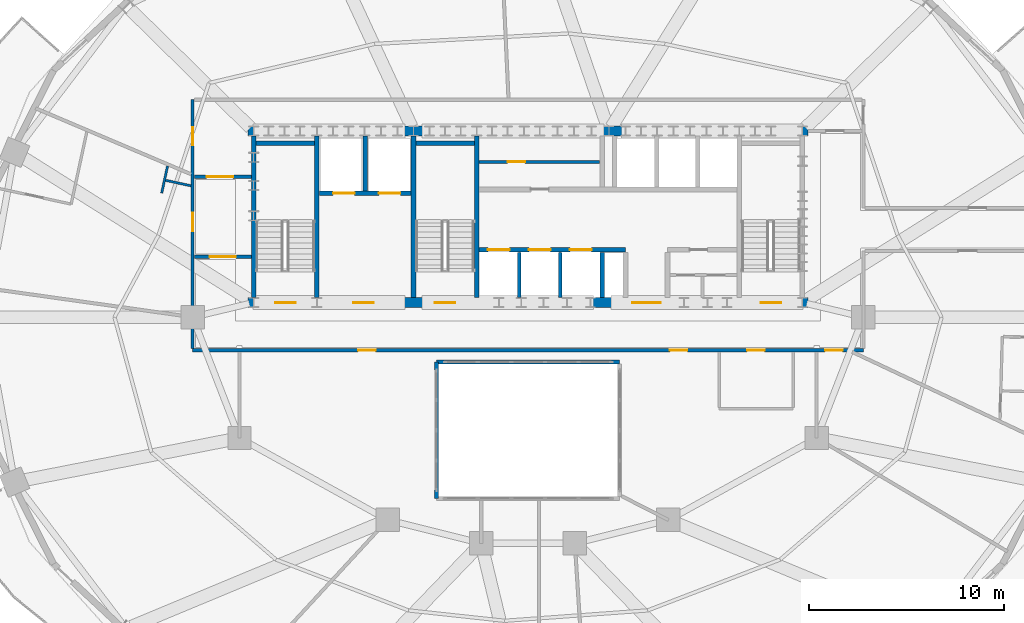
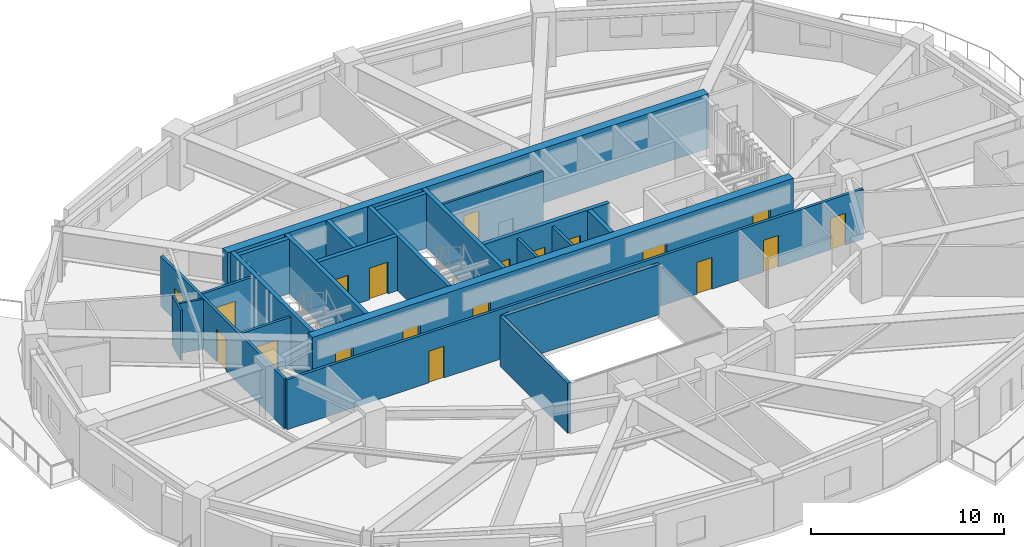
# One storey, part 7 of 13: 23 walls, 19 doors, 19 openings.
"""IFC4 building model written with IfcOpenShell, lengths in metres."""

import ifcopenshell
import ifcopenshell.guid

model = None  # the IFC model being written
_history = None  # IfcOwnerHistory: only IFC2X3 demands one
_inside = {}  # id of a spatial element -> (the spatial element, [elements in it])
_under = {}  # id of a project, library or spatial element -> (it, [spatial elements below it])
_declared = {}  # id of a project -> (the project, [libraries it declares])
_typed = {}  # id of a type object -> (the type object, [elements of that type])
_made_of = {}  # id of a material, layer set ... -> (it, [elements and type objects made of it])


def new_model(schema):
    """Start an empty IFC model of exactly this schema.

    Asked for "IFC4X3", IfcOpenShell would pick the latest addendum, in which some entities
    have other attributes; the version numbers below select the first issue.
    IFC2X3 requires an IfcOwnerHistory on every rooted entity: one is made here for all.
    """
    global model, _history
    if schema == "IFC4X3":
        model = ifcopenshell.file(schema_version=(4, 3, 0, 0))
    else:
        model = ifcopenshell.file(schema=schema)
    _inside.clear()
    _under.clear()
    _declared.clear()
    _typed.clear()
    _made_of.clear()
    _history = None
    if model.schema == "IFC2X3":
        org = make("IfcOrganization", Name="unknown")
        user = make(
            "IfcPersonAndOrganization",
            ThePerson=make("IfcPerson", FamilyName="unknown"),
            TheOrganization=org,
        )
        app = make(
            "IfcApplication",
            ApplicationDeveloper=org,
            Version="unknown",
            ApplicationFullName="unknown",
            ApplicationIdentifier="unknown",
        )
        _history = make(
            "IfcOwnerHistory",
            OwningUser=user,
            OwningApplication=app,
            ChangeAction="ADDED",
            CreationDate=0,
        )
    return model


def make(cls, **values):
    """One entity of the class cls with the attributes given. An attribute that is None is left unset."""
    return model.create_entity(
        cls, **{name: value for name, value in values.items() if value is not None}
    )


def rooted(cls, **values):
    """An entity with a GlobalId (a new one), such as an element, a storey or a relation."""
    return make(cls, GlobalId=ifcopenshell.guid.new(), OwnerHistory=_history, **values)


def si_unit(unit_type, name, prefix=None):
    """IfcSIUnit, for example si_unit("LENGTHUNIT", "METRE", prefix="MILLI")."""
    return make("IfcSIUnit", UnitType=unit_type, Prefix=prefix, Name=name)


def assignment(units):
    """IfcUnitAssignment: the units of a project."""
    return None if units is None else make("IfcUnitAssignment", Units=units)


def point(xyz):
    """IfcCartesianPoint."""
    return None if xyz is None else make("IfcCartesianPoint", Coordinates=xyz)


def direction(xyz):
    """IfcDirection."""
    return None if xyz is None else make("IfcDirection", DirectionRatios=xyz)


def frame(location, z_axis=None, x_axis=None):
    """IfcAxis2Placement3D, a coordinate frame: its origin and axes. An axis left out is left unset."""
    return make(
        "IfcAxis2Placement3D",
        Location=point(location),
        Axis=direction(z_axis),
        RefDirection=direction(x_axis),
    )


def frame_2d(location, x_axis=None):
    """IfcAxis2Placement2D, a coordinate frame in the plane: its origin and x axis."""
    return make(
        "IfcAxis2Placement2D", Location=point(location), RefDirection=direction(x_axis)
    )


def origin():
    """The frame at (0, 0, 0) with its axes left unset."""
    return frame((0.0, 0.0, 0.0))


def place(relative_to, where):
    """IfcLocalPlacement: puts the frame where relative to a parent placement (None: the world)."""
    return make(
        "IfcLocalPlacement", PlacementRelTo=relative_to, RelativePlacement=where
    )


def context(
    kind, dimensions, precision=None, world=None, true_north=None, identifier=None
):
    """IfcGeometricRepresentationContext, for example the 3D "Model" context."""
    return make(
        "IfcGeometricRepresentationContext",
        ContextIdentifier=identifier,
        ContextType=kind,
        CoordinateSpaceDimension=dimensions,
        Precision=precision,
        WorldCoordinateSystem=world,
        TrueNorth=true_north,
    )


def subcontext(parent, identifier, kind, view, scale=None):
    """IfcGeometricRepresentationSubContext, for example "Body" below "Model"."""
    return make(
        "IfcGeometricRepresentationSubContext",
        ContextIdentifier=identifier,
        ContextType=kind,
        ParentContext=parent,
        TargetScale=scale,
        TargetView=view,
    )


def project(units=None, contexts=None):
    """IfcProject with its units and contexts."""
    return rooted(
        "IfcProject",
        Name="project",
        RepresentationContexts=contexts,
        UnitsInContext=assignment(units),
    )


def spatial(cls, under=None, at=None, **own):
    """A site, building, storey or space (cls), placed at a placement, below another one or the project."""
    s = rooted(cls, ObjectPlacement=at, **own)
    if under is not None:
        _under.setdefault(under.id(), (under, []))[1].append(s)
    return s


def profile(cls, at=None, kind="AREA", **sizes):
    """A parametric profile (cls). Its sizes go by their IFC names, for example OverallWidth=200.0."""
    return make(cls, ProfileType=kind, Position=at, **sizes)


def rectangle(**sizes):
    """IfcRectangleProfileDef."""
    return profile("IfcRectangleProfileDef", **sizes)


def extrude(swept, where, along, depth):
    """IfcExtrudedAreaSolid: the profile swept, set in the frame where, extruded along a direction by depth."""
    return make(
        "IfcExtrudedAreaSolid",
        SweptArea=swept,
        Position=where,
        ExtrudedDirection=direction(along),
        Depth=depth,
    )


def shape(context_of_items, identifier, shape_type, items):
    """IfcShapeRepresentation: the items that make up one representation, for example the "Body"."""
    return make(
        "IfcShapeRepresentation",
        ContextOfItems=context_of_items,
        RepresentationIdentifier=identifier,
        RepresentationType=shape_type,
        Items=items,
    )


def material(Name=None, Category=None):
    """IfcMaterial."""
    return make("IfcMaterial", Name=Name, Category=Category)


def layer(
    of_material, thickness, ventilated=None, Name=None, Category=None, Priority=None
):
    """IfcMaterialLayer: one layer of a wall or slab, of a material (None: an air gap)."""
    return make(
        "IfcMaterialLayer",
        Material=of_material,
        LayerThickness=thickness,
        IsVentilated=ventilated,
        Name=Name,
        Category=Category,
        Priority=Priority,
    )


def layer_set(layers, Name=None):
    """IfcMaterialLayerSet."""
    return make("IfcMaterialLayerSet", MaterialLayers=layers, LayerSetName=Name)


def made_of(thing, what):
    """Note that an element or type object is made of a material, layer set ...; save() writes the relation."""
    if what is not None:
        _made_of.setdefault(what.id(), (what, []))[1].append(thing)
    return thing


def type_object(cls, material=None, **own):
    """A type object (cls), such as IfcWallType, which elements share."""
    return made_of(rooted(cls, **own), material)


def element(
    cls,
    number,
    at=None,
    inside=None,
    cuts=None,
    type_object=None,
    material=None,
    context=None,
    identifier="Body",
    shape_type=None,
    held_by="IfcProductDefinitionShape",
    body=None,
    shapes=None,
    **own,
):
    """One element of the class cls, such as IfcWall. Its Tag is "e" and its number.

    at: its placement. inside: the storey or other place that contains it. cuts: it is an
    opening in that element (IfcRelVoidsElement). A single representation is given by context,
    identifier, shape_type and body (its items); several are given by shapes. held_by: the class
    of the entity that holds the representations. save() writes the other relations.
    """
    e = rooted(cls, Tag="e%d" % number, ObjectPlacement=at, **own)
    if body is not None:
        shapes = [shape(context, identifier, shape_type, body)]
    if shapes is not None:
        e.Representation = make(held_by, Representations=shapes)
    if inside is not None:
        _inside.setdefault(inside.id(), (inside, []))[1].append(e)
    if cuts is not None:
        rooted(
            "IfcRelVoidsElement", RelatingBuildingElement=cuts, RelatedOpeningElement=e
        )
    if type_object is not None:
        _typed.setdefault(type_object.id(), (type_object, []))[1].append(e)
    return made_of(e, material)


def fill(opening, filler):
    """IfcRelFillsElement: the door or window that sits in an opening."""
    return rooted(
        "IfcRelFillsElement",
        RelatingOpeningElement=opening,
        RelatedBuildingElement=filler,
    )


def aggregate(whole, parts):
    """IfcRelAggregates: a whole, such as a stair, and the parts it consists of."""
    return rooted("IfcRelAggregates", RelatingObject=whole, RelatedObjects=parts)


def save(model, path):
    """Write the relations noted so far, then the file.

    IfcRelAggregates (storeys below a building ...), IfcRelContainedInSpatialStructure (elements
    in a storey), IfcRelDefinesByType, IfcRelAssociatesMaterial and IfcRelDeclares: one each for
    every whole, place, type object, material and project.
    """
    for whole, parts in _under.values():
        aggregate(whole, parts)
    for where, things in _inside.values():
        rooted(
            "IfcRelContainedInSpatialStructure",
            RelatedElements=things,
            RelatingStructure=where,
        )
    for kind, things in _typed.values():
        rooted("IfcRelDefinesByType", RelatedObjects=things, RelatingType=kind)
    for what, things in _made_of.values():
        rooted("IfcRelAssociatesMaterial", RelatedObjects=things, RelatingMaterial=what)
    for by, libraries in _declared.values():
        rooted("IfcRelDeclares", RelatingContext=by, RelatedDefinitions=libraries)
    model.write(path)


model = new_model("IFC4")

# Units and contexts
model_context = context("Model", 3, precision=1e-05, world=origin(), true_north=direction((0.0, 1.0)))
body_context = subcontext(model_context, "Body", "Model", "MODEL_VIEW")
ifc_project = project(units=[si_unit("LENGTHUNIT", "METRE"), si_unit("AREAUNIT", "SQUARE_METRE"), si_unit("VOLUMEUNIT", "CUBIC_METRE"), si_unit("PLANEANGLEUNIT", "RADIAN"), si_unit("MASSUNIT", "GRAM", prefix="KILO")], contexts=[model_context])

# Site, building, storey
site_placement = place(None, origin())
site = spatial("IfcSite", under=ifc_project, at=site_placement, CompositionType="ELEMENT")
building_placement = place(site_placement, origin())
building = spatial("IfcBuilding", under=site, at=building_placement, Name="Haldorwick Loom Tower", CompositionType="ELEMENT")
storey_placement = place(building_placement, frame((0.0, 0.0, 127.699951171875)))
storey = spatial("IfcBuildingStorey", under=building, at=storey_placement, Name="L34", CompositionType="ELEMENT", Elevation=127.699951171875)

# Wall, openings, doors
ifc_material_1 = material(Name="Fire-Rated Type X Gypsum Stud Assembly EI 60")
ifc_layer_1 = layer(ifc_material_1, 0.159912109375, Name="Fire-Rated Type X Gypsum Stud Assembly EI 60")
ifc_layer_set_1 = layer_set([ifc_layer_1], Name="Fire-Rated Type X Gypsum Stud Assembly EI 60")
wall_type_1 = type_object("IfcWallType", Name="ARC-WL-FIRE160", PredefinedType="PARTITIONING", material=ifc_layer_set_1)
wall_1_placement = place(storey_placement, frame((18.800048828125, 24.300048828125, 0.0), z_axis=(0.0, 0.0, 1.0), x_axis=(1.0, 0.0, 0.0)))
wall_1 = element("IfcWall", 1, at=wall_1_placement, inside=storey, type_object=wall_type_1, Name="L34 Residential Fire Partition L34-CR-SP", PredefinedType="PARTITIONING", context=body_context, shape_type="SweptSolid", body=[
    extrude(rectangle(XDim=34.39990234375, YDim=0.159912109375, at=frame_2d((17.199951171875, 0.0))), origin(), (0.0, 0.0, 1.0), 3.155029296875),
])
opening_1_placement = place(wall_1_placement, frame((8.480712890625, 0.0, 0.0)))
opening_1 = element("IfcOpeningElement", 2, at=opening_1_placement, cuts=wall_1, Name="Opening D-FD60A", PredefinedType="OPENING", context=body_context, shape_type="SweptSolid", body=[
    extrude(rectangle(XDim=0.89990234375, YDim=2.0, at=frame_2d((0.449951171875, 1.0))), frame((0.0, 0.08984375, 0.0), z_axis=(0.0, -1.0, 0.0), x_axis=(1.0, 0.0, 0.0)), (0.0, 0.0, 1.0), 0.179931640625),
])
opening_2_placement = place(wall_1_placement, frame((24.468017578125, 0.0, 0.0)))
opening_2 = element("IfcOpeningElement", 3, at=opening_2_placement, cuts=wall_1, Name="Opening D-FD60A", PredefinedType="OPENING", context=body_context, shape_type="SweptSolid", body=[
    extrude(rectangle(XDim=0.89990234375, YDim=2.0, at=frame_2d((0.449951171875, 1.0))), frame((0.0, 0.08984375, 0.0), z_axis=(0.0, -1.0, 0.0), x_axis=(1.0, 0.0, 0.0)), (0.0, 0.0, 1.0), 0.179931640625),
])
opening_3_placement = place(wall_1_placement, frame((28.437255859375, 0.0, 0.0)))
opening_3 = element("IfcOpeningElement", 4, at=opening_3_placement, cuts=wall_1, Name="Opening D-FD60A", PredefinedType="OPENING", context=body_context, shape_type="SweptSolid", body=[
    extrude(rectangle(XDim=0.89990234375, YDim=2.0, at=frame_2d((0.449951171875, 1.0))), frame((0.0, 0.08984375, 0.0), z_axis=(0.0, -1.0, 0.0), x_axis=(1.0, 0.0, 0.0)), (0.0, 0.0, 1.0), 0.179931640625),
])
opening_4_placement = place(wall_1_placement, frame((32.436767578125, 0.0, 0.0)))
opening_4 = element("IfcOpeningElement", 5, at=opening_4_placement, cuts=wall_1, Name="Opening D-FD60A", PredefinedType="OPENING", context=body_context, shape_type="SweptSolid", body=[
    extrude(rectangle(XDim=0.89990234375, YDim=2.0, at=frame_2d((0.449951171875, 1.0))), frame((0.0, 0.08984375, 0.0), z_axis=(0.0, -1.0, 0.0), x_axis=(1.0, 0.0, 0.0)), (0.0, 0.0, 1.0), 0.179931640625),
])
ifc_material_2 = material(Name="Hollow Steel Fire Door Assembly", Category="steel")
door_type_1 = type_object("IfcDoorType", Name="ARC-DR-FD60-90", OperationType="NOTDEFINED", PredefinedType="DOOR", material=ifc_material_2)
door_1_placement = place(opening_1_placement, origin())
door_1 = element("IfcDoor", 6, at=door_1_placement, inside=storey, type_object=door_type_1, Name="L34 L34 Central Residential Corridor to Community Library Hall 2 Door", OperationType="SINGLE_SWING_RIGHT", OverallHeight=2.0, OverallWidth=0.89990234375, PredefinedType="DOOR", context=body_context, shape_type="SweptSolid", body=[
    extrude(rectangle(XDim=0.89990234375, YDim=2.0, at=frame_2d((0.449951171875, 1.0))), frame((0.0, 0.02490234375, 0.0), z_axis=(0.0, -1.0, 0.0), x_axis=(1.0, 0.0, 0.0)), (0.0, 0.0, 1.0), 0.050048828125),
])
fill(opening_1, door_1)
door_2_placement = place(opening_2_placement, origin())
door_2 = element("IfcDoor", 7, at=door_2_placement, inside=storey, type_object=door_type_1, Name="L34 L34 Central Residential Corridor to Community Library Hall 1 Door", OperationType="SINGLE_SWING_LEFT", OverallHeight=2.0, OverallWidth=0.89990234375, PredefinedType="DOOR", context=body_context, shape_type="SweptSolid", body=[
    extrude(rectangle(XDim=0.89990234375, YDim=2.0, at=frame_2d((0.449951171875, 1.0))), frame((0.0, 0.02490234375, 0.0), z_axis=(0.0, -1.0, 0.0), x_axis=(1.0, 0.0, 0.0)), (0.0, 0.0, 1.0), 0.050048828125),
])
fill(opening_2, door_2)
door_3_placement = place(opening_3_placement, origin())
door_3 = element("IfcDoor", 8, at=door_3_placement, inside=storey, type_object=door_type_1, Name="L34 L34 Central Residential Corridor to Common Accessible WC Door", OperationType="SINGLE_SWING_LEFT", OverallHeight=2.0, OverallWidth=0.89990234375, PredefinedType="DOOR", context=body_context, shape_type="SweptSolid", body=[
    extrude(rectangle(XDim=0.89990234375, YDim=2.0, at=frame_2d((0.449951171875, 1.0))), frame((0.0, 0.02490234375, 0.0), z_axis=(0.0, -1.0, 0.0), x_axis=(1.0, 0.0, 0.0)), (0.0, 0.0, 1.0), 0.050048828125),
])
fill(opening_3, door_3)
door_4_placement = place(opening_4_placement, origin())
door_4 = element("IfcDoor", 9, at=door_4_placement, inside=storey, type_object=door_type_1, Name="L34 L34 Central Residential Corridor to Tenant Meeting Room 1 Door", OperationType="SINGLE_SWING_LEFT", OverallHeight=2.0, OverallWidth=0.89990234375, PredefinedType="DOOR", context=body_context, shape_type="SweptSolid", body=[
    extrude(rectangle(XDim=0.89990234375, YDim=2.0, at=frame_2d((0.449951171875, 1.0))), frame((0.0, 0.02490234375, 0.0), z_axis=(0.0, -1.0, 0.0), x_axis=(1.0, 0.0, 0.0)), (0.0, 0.0, 1.0), 0.050048828125),
])
fill(opening_4, door_4)

wall_2_placement = place(storey_placement, frame((18.800048828125, 24.383056640625, 0.0), z_axis=(0.0, 0.0, 1.0), x_axis=(0.0, 1.0, 0.0)))
wall_2 = element("IfcWall", 10, at=wall_2_placement, inside=storey, type_object=wall_type_1, Name="L34 Residential Fire Partition L34-CR-W0", PredefinedType="PARTITIONING", context=body_context, shape_type="SweptSolid", body=[
    extrude(rectangle(XDim=12.766845703125, YDim=0.159912109375, at=frame_2d((6.38330078125, 0.0))), origin(), (0.0, 0.0, 1.0), 3.155029296875),
])
opening_5_placement = place(wall_2_placement, frame((6.0185546875, 0.0, 0.0)))
opening_5 = element("IfcOpeningElement", 11, at=opening_5_placement, cuts=wall_2, Name="Opening D-FL95", PredefinedType="OPENING", context=body_context, shape_type="SweptSolid", body=[
    extrude(rectangle(XDim=0.949951171875, YDim=2.0400390625, at=frame_2d((0.47509765625, 1.02001953125))), frame((0.0, 0.08984375, 0.0), z_axis=(0.0, -1.0, 0.0), x_axis=(1.0, 0.0, 0.0)), (0.0, 0.0, 1.0), 0.179931640625),
])
opening_6_placement = place(wall_2_placement, frame((10.446044921875, 0.0, 0.0)))
opening_6 = element("IfcOpeningElement", 12, at=opening_6_placement, cuts=wall_2, Name="Opening D-FD60A", PredefinedType="OPENING", context=body_context, shape_type="SweptSolid", body=[
    extrude(rectangle(XDim=0.89990234375, YDim=2.0, at=frame_2d((0.449951171875, 1.0))), frame((0.0, 0.08984375, 0.0), z_axis=(0.0, -1.0, 0.0), x_axis=(1.0, 0.0, 0.0)), (0.0, 0.0, 1.0), 0.179931640625),
])
door_5_placement = place(opening_6_placement, frame((0.89990234375, 0.0, 0.0), z_axis=(0.0, 0.0, 1.0), x_axis=(-1.0, 0.0, 0.0)))
door_5 = element("IfcDoor", 13, at=door_5_placement, inside=storey, type_object=door_type_1, Name="L34 Community Library Hall 7 to L34 North Residential Corridor Door", OperationType="SINGLE_SWING_RIGHT", OverallHeight=2.0, OverallWidth=0.89990234375, PredefinedType="DOOR", context=body_context, shape_type="SweptSolid", body=[
    extrude(rectangle(XDim=0.89990234375, YDim=2.0, at=frame_2d((0.449951171875, 1.0))), frame((0.0, 0.02490234375, 0.0), z_axis=(0.0, -1.0, 0.0), x_axis=(1.0, 0.0, 0.0)), (0.0, 0.0, 1.0), 0.050048828125),
])
fill(opening_6, door_5)
ifc_material_3 = material(Name="Solid Core Birch Architectural Door")
door_type_2 = type_object("IfcDoorType", Name="ARC-DR-FLAT95", OperationType="NOTDEFINED", PredefinedType="DOOR", material=ifc_material_3)
door_6_placement = place(opening_5_placement, frame((0.949951171875, 0.0, 0.0), z_axis=(0.0, 0.0, 1.0), x_axis=(-1.0, 0.0, 0.0)))
door_6 = element("IfcDoor", 14, at=door_6_placement, inside=storey, type_object=door_type_2, Name="L34 Unit 34B Kitchen and Studio Living Room to L34 West Residential Corr", OperationType="SINGLE_SWING_LEFT", OverallHeight=2.0400390625, OverallWidth=0.949951171875, PredefinedType="DOOR", context=body_context, shape_type="SweptSolid", body=[
    extrude(rectangle(XDim=0.949951171875, YDim=2.0400390625, at=frame_2d((0.47509765625, 1.02001953125))), frame((0.0, 0.02490234375, 0.0), z_axis=(0.0, -1.0, 0.0), x_axis=(1.0, 0.0, 0.0)), (0.0, 0.0, 1.0), 0.050048828125),
])
fill(opening_5, door_6)

# Wall, opening, door
wall_3_placement = place(storey_placement, frame((18.883056640625, 29.10009765625, 0.0), z_axis=(0.0, 0.0, 1.0), x_axis=(1.0, 0.0, 0.0)))
wall_3 = element("IfcWall", 15, at=wall_3_placement, inside=storey, type_object=wall_type_1, Name="L34 Residential Fire Partition L34-CR-WSJ", PredefinedType="PARTITIONING", context=body_context, shape_type="SweptSolid", body=[
    extrude(rectangle(XDim=2.923828125, YDim=0.159912109375, at=frame_2d((1.4619140625, 0.0))), origin(), (0.0, 0.0, 1.0), 3.155029296875),
])
opening_7_placement = place(wall_3_placement, frame((0.787109375, 0.0, 0.0)))
opening_7 = element("IfcOpeningElement", 16, at=opening_7_placement, cuts=wall_3, Name="Opening D-CR15", PredefinedType="OPENING", context=body_context, shape_type="SweptSolid", body=[
    extrude(rectangle(XDim=1.35009765625, YDim=2.0, at=frame_2d((0.675048828125, 1.0))), frame((0.0, 0.08984375, 0.0), z_axis=(0.0, -1.0, 0.0), x_axis=(1.0, 0.0, 0.0)), (0.0, 0.0, 1.0), 0.179931640625),
])
ifc_material_4 = material(Name="Thermally Broken Anodized Aluminium and Tempered Glass", Category="aluminium")
door_type_3 = type_object("IfcDoorType", Name="ARC-DR-COR150", OperationType="NOTDEFINED", PredefinedType="DOOR", material=ifc_material_4)
door_7_placement = place(opening_7_placement, origin())
door_7 = element("IfcDoor", 17, at=door_7_placement, inside=storey, type_object=door_type_3, Name="L34 L34 West Residential Corridor to L34 Central Residential Corridor Do", OperationType="DOUBLE_DOOR_SINGLE_SWING", OverallHeight=2.0, OverallWidth=1.35009765625, PredefinedType="DOOR", context=body_context, shape_type="SweptSolid", body=[
    extrude(rectangle(XDim=1.35009765625, YDim=2.0, at=frame_2d((0.675048828125, 1.0))), frame((0.0, 0.02490234375, 0.0), z_axis=(0.0, -1.0, 0.0), x_axis=(1.0, 0.0, 0.0)), (0.0, 0.0, 1.0), 0.050048828125),
])
fill(opening_7, door_7)

wall_4_placement = place(storey_placement, frame((18.883056640625, 33.199951171875, 0.0), z_axis=(0.0, 0.0, 1.0), x_axis=(1.0, 0.0, 0.0)))
wall_4 = element("IfcWall", 18, at=wall_4_placement, inside=storey, type_object=wall_type_1, Name="L34 Residential Fire Partition L34-CR-WNJ", PredefinedType="PARTITIONING", context=body_context, shape_type="SweptSolid", body=[
    extrude(rectangle(XDim=2.923828125, YDim=0.159912109375, at=frame_2d((1.4619140625, 0.0))), origin(), (0.0, 0.0, 1.0), 3.155029296875),
])
opening_8_placement = place(wall_4_placement, frame((0.637939453125, 0.0, 0.0)))
opening_8 = element("IfcOpeningElement", 19, at=opening_8_placement, cuts=wall_4, Name="Opening D-CR15", PredefinedType="OPENING", context=body_context, shape_type="SweptSolid", body=[
    extrude(rectangle(XDim=1.35009765625, YDim=2.0, at=frame_2d((0.675048828125, 1.0))), frame((0.0, 0.08984375, 0.0), z_axis=(0.0, -1.0, 0.0), x_axis=(1.0, 0.0, 0.0)), (0.0, 0.0, 1.0), 0.179931640625),
])
door_8_placement = place(opening_8_placement, origin())
door_8 = element("IfcDoor", 20, at=door_8_placement, inside=storey, type_object=door_type_3, Name="L34 L34 North Residential Corridor to L34 West Residential Corridor Door", OperationType="DOUBLE_DOOR_SINGLE_SWING", OverallHeight=2.0, OverallWidth=1.35009765625, PredefinedType="DOOR", context=body_context, shape_type="SweptSolid", body=[
    extrude(rectangle(XDim=1.35009765625, YDim=2.0, at=frame_2d((0.675048828125, 1.0))), frame((0.0, 0.02490234375, 0.0), z_axis=(0.0, -1.0, 0.0), x_axis=(1.0, 0.0, 0.0)), (0.0, 0.0, 1.0), 0.050048828125),
])
fill(opening_8, door_8)

# Walls
ifc_material_5 = material(Name="Fire-Rated Type X Gypsum Stud Assembly EI 120")
ifc_layer_2 = layer(ifc_material_5, 0.199951171875, Name="Fire-Rated Type X Gypsum Stud Assembly EI 120")
ifc_layer_set_2 = layer_set([ifc_layer_2], Name="Fire-Rated Type X Gypsum Stud Assembly EI 120")
wall_type_2 = type_object("IfcWallType", Name="ARC-WL-FIRE200", PredefinedType="PARTITIONING", material=ifc_layer_set_2)
wall_5_placement = place(storey_placement, frame((31.300048828125, 23.699951171875, 0.0), z_axis=(0.0, 0.0, 1.0), x_axis=(1.0, 0.0, 0.0)))
element("IfcWall", 21, at=wall_5_placement, inside=storey, type_object=wall_type_2, Name="L34 Atrium Fire Enclosure Wall N", PredefinedType="PARTITIONING", context=body_context, shape_type="SweptSolid", body=[
    extrude(rectangle(XDim=9.39990234375, YDim=0.199951171875, at=frame_2d((4.699951171875, 0.0))), origin(), (0.0, 0.0, 1.0), 3.155029296875),
])
wall_6_placement = place(storey_placement, frame((31.300048828125, 16.699951171875, 0.0), z_axis=(0.0, 0.0, 1.0), x_axis=(0.0, 1.0, 0.0)))
element("IfcWall", 22, at=wall_6_placement, inside=storey, type_object=wall_type_2, Name="L34 Atrium Fire Enclosure Wall W", PredefinedType="PARTITIONING", context=body_context, shape_type="SweptSolid", body=[
    extrude(rectangle(XDim=7.0, YDim=0.199951171875, at=frame_2d((3.5, 0.0))), origin(), (0.0, 0.0, 1.0), 3.155029296875),
])
ifc_material_6 = material(Name="Acoustic Gypsum Stud Assembly STC 55")
ifc_layer_3 = layer(ifc_material_6, 0.1201171875, Name="Acoustic Gypsum Stud Assembly STC 55")
ifc_layer_set_3 = layer_set([ifc_layer_3], Name="Acoustic Gypsum Stud Assembly STC 55")
wall_type_3 = type_object("IfcWallType", Name="ARC-WL-PART120", PredefinedType="PARTITIONING", material=ifc_layer_set_3)
wall_7_placement = place(storey_placement, frame((17.51220703125, 33.750732421875, 0.0), z_axis=(0.0, 0.0, 1.0), x_axis=(-0.21129277594, -0.977422816818, 0.0)))
element("IfcWall", 23, at=wall_7_placement, inside=storey, type_object=wall_type_3, Name="L34 Unit 34B Interior Partition", PredefinedType="PARTITIONING", context=body_context, shape_type="SweptSolid", body=[
    extrude(rectangle(XDim=1.417724609375, YDim=0.1201171875, at=frame_2d((0.708984375, 0.0))), origin(), (0.0, 0.0, 1.0), 3.155029296875),
])
wall_8_placement = place(storey_placement, frame((18.717041015625, 32.735107421875, 0.0), z_axis=(0.0, 0.0, 1.0), x_axis=(-0.977432620784, 0.211247418512, 0.0)))
element("IfcWall", 24, at=wall_8_placement, inside=storey, type_object=wall_type_3, Name="L34 Unit 34B Interior Partition", PredefinedType="PARTITIONING", context=body_context, shape_type="SweptSolid", body=[
    extrude(rectangle(XDim=1.3291015625, YDim=0.1201171875, at=frame_2d((0.66455078125, 0.0))), origin(), (0.0, 0.0, 1.0), 3.155029296875),
])

# Wall, opening, door
ifc_layer_4 = layer(ifc_material_1, 0.139892578125, Name="Fire-Rated Type X Gypsum Stud Assembly EI 60")
ifc_layer_set_4 = layer_set([ifc_layer_4], Name="Fire-Rated Type X Gypsum Stud Assembly EI 60")
wall_type_4 = type_object("IfcWallType", Name="ARC-WL-PART140", PredefinedType="PARTITIONING", material=ifc_layer_set_4)
wall_9_placement = place(storey_placement, frame((33.492919921875, 33.9599609375, 0.0), z_axis=(0.0, 0.0, 1.0), x_axis=(1.0, 0.0, 0.0)))
wall_9 = element("IfcWall", 25, at=wall_9_placement, inside=storey, type_object=wall_type_4, Name="L34 Alcove Partition", PredefinedType="PARTITIONING", context=body_context, shape_type="SweptSolid", body=[
    extrude(rectangle(XDim=6.18408203125, YDim=0.139892578125, at=frame_2d((3.092041015625, 0.0))), origin(), (0.0, 0.0, 1.0), 3.155029296875),
])
opening_9_placement = place(wall_9_placement, frame((1.45703125, 0.0, 0.0)))
opening_9 = element("IfcOpeningElement", 26, at=opening_9_placement, cuts=wall_9, Name="Opening D-FD60A", PredefinedType="OPENING", context=body_context, shape_type="SweptSolid", body=[
    extrude(rectangle(XDim=0.89990234375, YDim=2.0, at=frame_2d((0.449951171875, 1.0))), frame((0.0, 0.079833984375, 0.0), z_axis=(0.0, -1.0, 0.0), x_axis=(1.0, 0.0, 0.0)), (0.0, 0.0, 1.0), 0.159912109375),
])
door_9_placement = place(opening_9_placement, frame((0.89990234375, 0.0, 0.0), z_axis=(0.0, 0.0, 1.0), x_axis=(-1.0, 0.0, 0.0)))
door_9 = element("IfcDoor", 27, at=door_9_placement, inside=storey, type_object=door_type_1, Name="L34 Trunk Store Door", OperationType="SINGLE_SWING_LEFT", OverallHeight=2.0, OverallWidth=0.89990234375, PredefinedType="DOOR", context=body_context, shape_type="SweptSolid", body=[
    extrude(rectangle(XDim=0.89990234375, YDim=2.0, at=frame_2d((0.449951171875, 1.0))), frame((0.0, 0.02490234375, 0.0), z_axis=(0.0, -1.0, 0.0), x_axis=(1.0, 0.0, 0.0)), (0.0, 0.0, 1.0), 0.050048828125),
])
fill(opening_9, door_9)

# Walls
ifc_layer_5 = layer(ifc_material_5, 0.1650390625, Name="Fire-Rated Type X Gypsum Stud Assembly EI 120")
ifc_layer_set_5 = layer_set([ifc_layer_5], Name="Fire-Rated Type X Gypsum Stud Assembly EI 120")
wall_type_5 = type_object("IfcWallType", Name="ARC-WL-SHAFT160", PredefinedType="MOVABLE", material=ifc_layer_set_5)
for number, where, z_axis, x_axis, name in (
    (28, (35.550048828125, 27.0029296875, 0.0), (0.0, 0.0, 1.0), (0.0, 1.0, 0.0), "L34 Mid-Rise Hoistway Divider 1"),
    (29, (37.64990234375, 27.0029296875, 0.0), (0.0, 0.0, 1.0), (0.0, 1.0, 0.0), "L34 Mid-Rise Hoistway Divider 2"),
):
    element("IfcWall", number, at=place(storey_placement, frame(where, z_axis=z_axis, x_axis=x_axis)), inside=storey, type_object=wall_type_5, Name=name, PredefinedType="MOVABLE", context=body_context, shape_type="SweptSolid", body=[
        extrude(rectangle(XDim=2.323974609375, YDim=0.159912109375, at=frame_2d((1.162109375, 0.0))), origin(), (0.0, 0.0, 1.0), 3.155029296875),
    ])

# Wall, openings, doors
ifc_material_7 = material(Name="Concrete C60 (60 MPa)", Category="concrete")
ifc_layer_6 = layer(ifc_material_7, 0.5, Name="Concrete C60 (60 MPa)", Category="concrete")
ifc_layer_set_6 = layer_set([ifc_layer_6], Name="Concrete C60 (60 MPa)")
wall_type_6 = type_object("IfcWallType", Name="STR-WL-CORE500", PredefinedType="SHEAR", material=ifc_layer_set_6)
wall_10_placement = place(storey_placement, frame((21.64990234375, 26.75, 0.0), z_axis=(0.0, 0.0, 1.0), x_axis=(1.0, 0.0, 0.0)))
wall_10 = element("IfcWall", 30, at=wall_10_placement, inside=storey, type_object=wall_type_6, Name="L34 Core Shear Wall S", PredefinedType="SHEAR", context=body_context, shape_type="SweptSolid", body=[
    extrude(rectangle(XDim=28.7001953125, YDim=0.5, at=frame_2d((14.35009765625, 0.0))), origin(), (0.0, 0.0, 1.0), 3.449951171875),
])
opening_10_placement = place(wall_10_placement, frame((1.375, 0.0, 0.0)))
opening_10 = element("IfcOpeningElement", 31, at=opening_10_placement, cuts=wall_10, Name="Opening D-FD60", PredefinedType="OPENING", context=body_context, shape_type="SweptSolid", body=[
    extrude(rectangle(XDim=1.050048828125, YDim=2.0, at=frame_2d((0.52490234375, 1.0))), frame((0.0, 0.260009765625, 0.0), z_axis=(0.0, -1.0, 0.0), x_axis=(1.0, 0.0, 0.0)), (0.0, 0.0, 1.0), 0.52001953125),
])
opening_11_placement = place(wall_10_placement, frame((5.375, 0.0, 0.0)))
opening_11 = element("IfcOpeningElement", 32, at=opening_11_placement, cuts=wall_10, Name="Opening D-FD60", PredefinedType="OPENING", context=body_context, shape_type="SweptSolid", body=[
    extrude(rectangle(XDim=1.050048828125, YDim=2.0, at=frame_2d((0.52490234375, 1.0))), frame((0.0, 0.260009765625, 0.0), z_axis=(0.0, -1.0, 0.0), x_axis=(1.0, 0.0, 0.0)), (0.0, 0.0, 1.0), 0.52001953125),
])
opening_12_placement = place(wall_10_placement, frame((9.574951171875, 0.0, 0.0)))
opening_12 = element("IfcOpeningElement", 33, at=opening_12_placement, cuts=wall_10, Name="Opening D-FD60", PredefinedType="OPENING", context=body_context, shape_type="SweptSolid", body=[
    extrude(rectangle(XDim=1.050048828125, YDim=2.0, at=frame_2d((0.52490234375, 1.0))), frame((0.0, 0.260009765625, 0.0), z_axis=(0.0, -1.0, 0.0), x_axis=(1.0, 0.0, 0.0)), (0.0, 0.0, 1.0), 0.52001953125),
])
opening_13_placement = place(wall_10_placement, frame((19.705078125, 0.0, 0.0)))
opening_13 = element("IfcOpeningElement", 34, at=opening_13_placement, cuts=wall_10, Name="Opening D-LB15", PredefinedType="OPENING", context=body_context, shape_type="SweptSolid", body=[
    extrude(rectangle(XDim=1.449951171875, YDim=2.0, at=frame_2d((0.72509765625, 1.0))), frame((0.0, 0.260009765625, 0.0), z_axis=(0.0, -1.0, 0.0), x_axis=(1.0, 0.0, 0.0)), (0.0, 0.0, 1.0), 0.52001953125),
])
opening_14_placement = place(wall_10_placement, frame((26.27490234375, 0.0, 0.0)))
opening_14 = element("IfcOpeningElement", 35, at=opening_14_placement, cuts=wall_10, Name="Opening D-FD60", PredefinedType="OPENING", context=body_context, shape_type="SweptSolid", body=[
    extrude(rectangle(XDim=1.050048828125, YDim=2.0, at=frame_2d((0.52490234375, 1.0))), frame((0.0, 0.260009765625, 0.0), z_axis=(0.0, -1.0, 0.0), x_axis=(1.0, 0.0, 0.0)), (0.0, 0.0, 1.0), 0.52001953125),
])
door_type_4 = type_object("IfcDoorType", Name="ARC-DR-FD60", OperationType="NOTDEFINED", PredefinedType="DOOR", material=ifc_material_2)
door_10_placement = place(opening_10_placement, origin())
door_10 = element("IfcDoor", 36, at=door_10_placement, inside=storey, type_object=door_type_4, Name="L34 Exit Stair ST-01 Fire Door", OperationType="SINGLE_SWING_RIGHT", OverallHeight=2.0, OverallWidth=1.050048828125, PredefinedType="DOOR", context=body_context, shape_type="SweptSolid", body=[
    extrude(rectangle(XDim=1.050048828125, YDim=2.0, at=frame_2d((0.52490234375, 1.0))), frame((0.0, 0.02490234375, 0.0), z_axis=(0.0, -1.0, 0.0), x_axis=(1.0, 0.0, 0.0)), (0.0, 0.0, 1.0), 0.050048828125),
])
fill(opening_10, door_10)
door_11_placement = place(opening_11_placement, origin())
door_11 = element("IfcDoor", 37, at=door_11_placement, inside=storey, type_object=door_type_4, Name="L34 Firefighting Lift Lobby Fire Door", OperationType="SINGLE_SWING_LEFT", OverallHeight=2.0, OverallWidth=1.050048828125, PredefinedType="DOOR", context=body_context, shape_type="SweptSolid", body=[
    extrude(rectangle(XDim=1.050048828125, YDim=2.0, at=frame_2d((0.52490234375, 1.0))), frame((0.0, 0.02490234375, 0.0), z_axis=(0.0, -1.0, 0.0), x_axis=(1.0, 0.0, 0.0)), (0.0, 0.0, 1.0), 0.050048828125),
])
fill(opening_11, door_11)
door_12_placement = place(opening_12_placement, origin())
door_12 = element("IfcDoor", 38, at=door_12_placement, inside=storey, type_object=door_type_4, Name="L34 Exit Stair ST-03 Fire Door", OperationType="SINGLE_SWING_LEFT", OverallHeight=2.0, OverallWidth=1.050048828125, PredefinedType="DOOR", context=body_context, shape_type="SweptSolid", body=[
    extrude(rectangle(XDim=1.050048828125, YDim=2.0, at=frame_2d((0.52490234375, 1.0))), frame((0.0, 0.02490234375, 0.0), z_axis=(0.0, -1.0, 0.0), x_axis=(1.0, 0.0, 0.0)), (0.0, 0.0, 1.0), 0.050048828125),
])
fill(opening_12, door_12)
door_13_placement = place(opening_14_placement, origin())
door_13 = element("IfcDoor", 39, at=door_13_placement, inside=storey, type_object=door_type_4, Name="L34 Exit Stair ST-02 Fire Door", OperationType="SINGLE_SWING_LEFT", OverallHeight=2.0, OverallWidth=1.050048828125, PredefinedType="DOOR", context=body_context, shape_type="SweptSolid", body=[
    extrude(rectangle(XDim=1.050048828125, YDim=2.0, at=frame_2d((0.52490234375, 1.0))), frame((0.0, 0.02490234375, 0.0), z_axis=(0.0, -1.0, 0.0), x_axis=(1.0, 0.0, 0.0)), (0.0, 0.0, 1.0), 0.050048828125),
])
fill(opening_14, door_13)
door_type_5 = type_object("IfcDoorType", Name="ARC-DR-LOB150", OperationType="NOTDEFINED", PredefinedType="DOOR", material=ifc_material_4)
door_14_placement = place(opening_13_placement, frame((1.449951171875, 0.0, 0.0), z_axis=(0.0, 0.0, 1.0), x_axis=(-1.0, 0.0, 0.0)))
door_14 = element("IfcDoor", 40, at=door_14_placement, inside=storey, type_object=door_type_5, Name="L34 Passenger Lift Lobby Fire Door", OperationType="DOUBLE_DOOR_SINGLE_SWING", OverallHeight=2.0, OverallWidth=1.449951171875, PredefinedType="DOOR", context=body_context, shape_type="SweptSolid", body=[
    extrude(rectangle(XDim=1.449951171875, YDim=2.0, at=frame_2d((0.72509765625, 1.0))), frame((0.0, 0.02490234375, 0.0), z_axis=(0.0, -1.0, 0.0), x_axis=(1.0, 0.0, 0.0)), (0.0, 0.0, 1.0), 0.050048828125),
])
fill(opening_13, door_14)

# Walls
wall_11_placement = place(storey_placement, frame((50.35009765625, 35.550048828125, 0.0), z_axis=(0.0, 0.0, 1.0), x_axis=(-1.0, 0.0, 0.0)))
element("IfcWall", 41, at=wall_11_placement, inside=storey, type_object=wall_type_6, Name="L34 Core Shear Wall N", PredefinedType="SHEAR", context=body_context, shape_type="SweptSolid", body=[
    extrude(rectangle(XDim=28.7001953125, YDim=0.5, at=frame_2d((14.35009765625, 0.0))), origin(), (0.0, 0.0, 1.0), 3.449951171875),
])
ifc_material_8 = material(Name="Concrete C50 (50 MPa)", Category="concrete")
ifc_layer_7 = layer(ifc_material_8, 0.239990234375, Name="Concrete C50 (50 MPa)", Category="concrete")
ifc_layer_set_7 = layer_set([ifc_layer_7], Name="Concrete C50 (50 MPa)")
wall_type_7 = type_object("IfcWallType", Name="STR-WL-SHAFT240", PredefinedType="SHEAR", material=ifc_layer_set_7)
for number, where, z_axis, x_axis, name in (
    (42, (21.929931640625, 35.297119140625, 0.0), (0.0, 0.0, 1.0), (0.0, -1.0, 0.0), "L34 Core Shear Wall W"),
    (43, (25.169921875, 27.0029296875, 0.0), (0.0, 0.0, 1.0), (0.0, 1.0, 0.0), "L34 Core Shear Wall 1"),
):
    element("IfcWall", number, at=place(storey_placement, frame(where, z_axis=z_axis, x_axis=x_axis)), inside=storey, type_object=wall_type_7, Name=name, PredefinedType="SHEAR", context=body_context, shape_type="SweptSolid", body=[
        extrude(rectangle(XDim=8.294189453125, YDim=0.239990234375, at=frame_2d((4.14697265625, 0.0))), origin(), (0.0, 0.0, 1.0), 3.449951171875),
    ])
wall_12_placement = place(storey_placement, frame((22.052978515625, 34.919921875, 0.0), z_axis=(0.0, 0.0, 1.0), x_axis=(1.0, 0.0, 0.0)))
element("IfcWall", 44, at=wall_12_placement, inside=storey, type_object=wall_type_7, Name="L34 Core Shear Wall 1N", PredefinedType="SHEAR", context=body_context, shape_type="SweptSolid", body=[
    extrude(rectangle(XDim=2.994140625, YDim=0.239990234375, at=frame_2d((1.4970703125, 0.0))), origin(), (0.0, 0.0, 1.0), 3.449951171875),
])
for number, where, z_axis, x_axis, name in (
    (45, (30.1298828125, 27.0029296875, 0.0), (0.0, 0.0, 1.0), (0.0, 1.0, 0.0), "L34 Core Shear Wall 2"),
    (46, (33.3701171875, 27.0029296875, 0.0), (0.0, 0.0, 1.0), (0.0, 1.0, 0.0), "L34 Core Shear Wall 3"),
):
    element("IfcWall", number, at=place(storey_placement, frame(where, z_axis=z_axis, x_axis=x_axis)), inside=storey, type_object=wall_type_7, Name=name, PredefinedType="SHEAR", context=body_context, shape_type="SweptSolid", body=[
        extrude(rectangle(XDim=8.294189453125, YDim=0.239990234375, at=frame_2d((4.14697265625, 0.0))), origin(), (0.0, 0.0, 1.0), 3.449951171875),
    ])
wall_13_placement = place(storey_placement, frame((30.2529296875, 34.919921875, 0.0), z_axis=(0.0, 0.0, 1.0), x_axis=(1.0, 0.0, 0.0)))
element("IfcWall", 47, at=wall_13_placement, inside=storey, type_object=wall_type_7, Name="L34 Core Shear Wall 3N", PredefinedType="SHEAR", context=body_context, shape_type="SweptSolid", body=[
    extrude(rectangle(XDim=2.994140625, YDim=0.239990234375, at=frame_2d((1.4970703125, 0.0))), origin(), (0.0, 0.0, 1.0), 3.449951171875),
])

# Wall, openings, doors
wall_14_placement = place(storey_placement, frame((25.29296875, 32.35009765625, 0.0), z_axis=(0.0, 0.0, 1.0), x_axis=(1.0, 0.0, 0.0)))
wall_14 = element("IfcWall", 48, at=wall_14_placement, inside=storey, type_object=wall_type_7, Name="L34 Core Shear Wall FF", PredefinedType="SHEAR", context=body_context, shape_type="SweptSolid", body=[
    extrude(rectangle(XDim=4.714111328125, YDim=0.239990234375, at=frame_2d((2.35693359375, 0.0))), origin(), (0.0, 0.0, 1.0), 3.449951171875),
])
opening_15_placement = place(wall_14_placement, frame((0.70703125, 0.0, 0.0)))
opening_15 = element("IfcOpeningElement", 49, at=opening_15_placement, cuts=wall_14, Name="Opening LD-FF1", PredefinedType="OPENING", context=body_context, shape_type="SweptSolid", body=[
    extrude(rectangle(XDim=1.10009765625, YDim=2.0, at=frame_2d((0.550048828125, 1.0))), frame((0.0, 0.1298828125, 0.0), z_axis=(0.0, -1.0, 0.0), x_axis=(1.0, 0.0, 0.0)), (0.0, 0.0, 1.0), 0.260009765625),
])
opening_16_placement = place(wall_14_placement, frame((3.056884765625, 0.0, 0.0)))
opening_16 = element("IfcOpeningElement", 50, at=opening_16_placement, cuts=wall_14, Name="Opening LD-FF2", PredefinedType="OPENING", context=body_context, shape_type="SweptSolid", body=[
    extrude(rectangle(XDim=1.10009765625, YDim=2.0, at=frame_2d((0.550048828125, 1.0))), frame((0.0, 0.1298828125, 0.0), z_axis=(0.0, -1.0, 0.0), x_axis=(1.0, 0.0, 0.0)), (0.0, 0.0, 1.0), 0.260009765625),
])
door_type_6 = type_object("IfcDoorType", Name="ARC-DR-LD-FF", OperationType="NOTDEFINED", PredefinedType="USERDEFINED", material=ifc_material_2)
door_15_placement = place(opening_15_placement, origin())
door_15 = element("IfcDoor", 51, at=door_15_placement, inside=storey, type_object=door_type_6, Name="L34 Lift LF-FF1 Sliding Landing Door", ObjectType="LANDING DOOR", OperationType="DOUBLE_DOOR_SLIDING", OverallHeight=2.0, OverallWidth=1.10009765625, PredefinedType="USERDEFINED", context=body_context, shape_type="SweptSolid", body=[
    extrude(rectangle(XDim=1.10009765625, YDim=2.0, at=frame_2d((0.550048828125, 1.0))), frame((0.0, 0.02490234375, 0.0), z_axis=(0.0, -1.0, 0.0), x_axis=(1.0, 0.0, 0.0)), (0.0, 0.0, 1.0), 0.050048828125),
])
fill(opening_15, door_15)
door_16_placement = place(opening_16_placement, origin())
door_16 = element("IfcDoor", 52, at=door_16_placement, inside=storey, type_object=door_type_6, Name="L34 Lift LF-FF2 Sliding Landing Door", ObjectType="LANDING DOOR", OperationType="DOUBLE_DOOR_SLIDING", OverallHeight=2.0, OverallWidth=1.10009765625, PredefinedType="USERDEFINED", context=body_context, shape_type="SweptSolid", body=[
    extrude(rectangle(XDim=1.10009765625, YDim=2.0, at=frame_2d((0.550048828125, 1.0))), frame((0.0, 0.02490234375, 0.0), z_axis=(0.0, -1.0, 0.0), x_axis=(1.0, 0.0, 0.0)), (0.0, 0.0, 1.0), 0.050048828125),
])
fill(opening_16, door_16)

# Wall
wall_15_placement = place(storey_placement, frame((27.64990234375, 32.472900390625, 0.0), z_axis=(0.0, 0.0, 1.0), x_axis=(0.0, 1.0, 0.0)))
element("IfcWall", 53, at=wall_15_placement, inside=storey, type_object=wall_type_7, Name="L34 Core Shear Wall FFD", PredefinedType="SHEAR", context=body_context, shape_type="SweptSolid", body=[
    extrude(rectangle(XDim=2.82421875, YDim=0.239990234375, at=frame_2d((1.412109375, 0.0))), origin(), (0.0, 0.0, 1.0), 3.449951171875),
])

# Wall, openings, doors
wall_16_placement = place(storey_placement, frame((33.492919921875, 29.449951171875, 0.0), z_axis=(0.0, 0.0, 1.0), x_axis=(1.0, 0.0, 0.0)))
wall_16 = element("IfcWall", 54, at=wall_16_placement, inside=storey, type_object=wall_type_7, Name="L34 Core Shear Wall LS1", PredefinedType="SHEAR", context=body_context, shape_type="SweptSolid", body=[
    extrude(rectangle(XDim=7.507080078125, YDim=0.239990234375, at=frame_2d((3.75341796875, 0.0))), origin(), (0.0, 0.0, 1.0), 3.449951171875),
])
opening_17_placement = place(wall_16_placement, frame((0.447021484375, 0.0, 0.0)))
opening_17 = element("IfcOpeningElement", 55, at=opening_17_placement, cuts=wall_16, Name="Opening LD-M1", PredefinedType="OPENING", context=body_context, shape_type="SweptSolid", body=[
    extrude(rectangle(XDim=1.1201171875, YDim=2.0, at=frame_2d((0.56005859375, 1.0))), frame((0.0, 0.1298828125, 0.0), z_axis=(0.0, -1.0, 0.0), x_axis=(1.0, 0.0, 0.0)), (0.0, 0.0, 1.0), 0.260009765625),
])
opening_18_placement = place(wall_16_placement, frame((2.547119140625, 0.0, 0.0)))
opening_18 = element("IfcOpeningElement", 56, at=opening_18_placement, cuts=wall_16, Name="Opening LD-M2", PredefinedType="OPENING", context=body_context, shape_type="SweptSolid", body=[
    extrude(rectangle(XDim=1.1201171875, YDim=2.0, at=frame_2d((0.56005859375, 1.0))), frame((0.0, 0.1298828125, 0.0), z_axis=(0.0, -1.0, 0.0), x_axis=(1.0, 0.0, 0.0)), (0.0, 0.0, 1.0), 0.260009765625),
])
opening_19_placement = place(wall_16_placement, frame((4.64697265625, 0.0, 0.0)))
opening_19 = element("IfcOpeningElement", 57, at=opening_19_placement, cuts=wall_16, Name="Opening LD-M3", PredefinedType="OPENING", context=body_context, shape_type="SweptSolid", body=[
    extrude(rectangle(XDim=1.1201171875, YDim=2.0, at=frame_2d((0.56005859375, 1.0))), frame((0.0, 0.1298828125, 0.0), z_axis=(0.0, -1.0, 0.0), x_axis=(1.0, 0.0, 0.0)), (0.0, 0.0, 1.0), 0.260009765625),
])
door_type_7 = type_object("IfcDoorType", Name="ARC-DR-LD-PAX", OperationType="NOTDEFINED", PredefinedType="USERDEFINED", material=ifc_material_2)
door_17_placement = place(opening_17_placement, origin())
door_17 = element("IfcDoor", 58, at=door_17_placement, inside=storey, type_object=door_type_7, Name="L34 Lift LF-M1 Sliding Landing Door", ObjectType="LANDING DOOR", OperationType="DOUBLE_DOOR_SLIDING", OverallHeight=2.0, OverallWidth=1.1201171875, PredefinedType="USERDEFINED", context=body_context, shape_type="SweptSolid", body=[
    extrude(rectangle(XDim=1.1201171875, YDim=2.0, at=frame_2d((0.56005859375, 1.0))), frame((0.0, 0.02490234375, 0.0), z_axis=(0.0, -1.0, 0.0), x_axis=(1.0, 0.0, 0.0)), (0.0, 0.0, 1.0), 0.050048828125),
])
fill(opening_17, door_17)
door_18_placement = place(opening_18_placement, origin())
door_18 = element("IfcDoor", 59, at=door_18_placement, inside=storey, type_object=door_type_7, Name="L34 Lift LF-M2 Sliding Landing Door", ObjectType="LANDING DOOR", OperationType="DOUBLE_DOOR_SLIDING", OverallHeight=2.0, OverallWidth=1.1201171875, PredefinedType="USERDEFINED", context=body_context, shape_type="SweptSolid", body=[
    extrude(rectangle(XDim=1.1201171875, YDim=2.0, at=frame_2d((0.56005859375, 1.0))), frame((0.0, 0.02490234375, 0.0), z_axis=(0.0, -1.0, 0.0), x_axis=(1.0, 0.0, 0.0)), (0.0, 0.0, 1.0), 0.050048828125),
])
fill(opening_18, door_18)
door_19_placement = place(opening_19_placement, origin())
door_19 = element("IfcDoor", 60, at=door_19_placement, inside=storey, type_object=door_type_7, Name="L34 Lift LF-M3 Sliding Landing Door", ObjectType="LANDING DOOR", OperationType="DOUBLE_DOOR_SLIDING", OverallHeight=2.0, OverallWidth=1.1201171875, PredefinedType="USERDEFINED", context=body_context, shape_type="SweptSolid", body=[
    extrude(rectangle(XDim=1.1201171875, YDim=2.0, at=frame_2d((0.56005859375, 1.0))), frame((0.0, 0.02490234375, 0.0), z_axis=(0.0, -1.0, 0.0), x_axis=(1.0, 0.0, 0.0)), (0.0, 0.0, 1.0), 0.050048828125),
])
fill(opening_19, door_19)

# Wall
wall_17_placement = place(storey_placement, frame((39.800048828125, 27.0029296875, 0.0), z_axis=(0.0, 0.0, 1.0), x_axis=(0.0, 1.0, 0.0)))
element("IfcWall", 61, at=wall_17_placement, inside=storey, type_object=wall_type_7, Name="L34 Core Shear Wall MRW", PredefinedType="SHEAR", context=body_context, shape_type="SweptSolid", body=[
    extrude(rectangle(XDim=2.323974609375, YDim=0.239990234375, at=frame_2d((1.162109375, 0.0))), origin(), (0.0, 0.0, 1.0), 3.449951171875),
])

save(model, "model.ifc")
